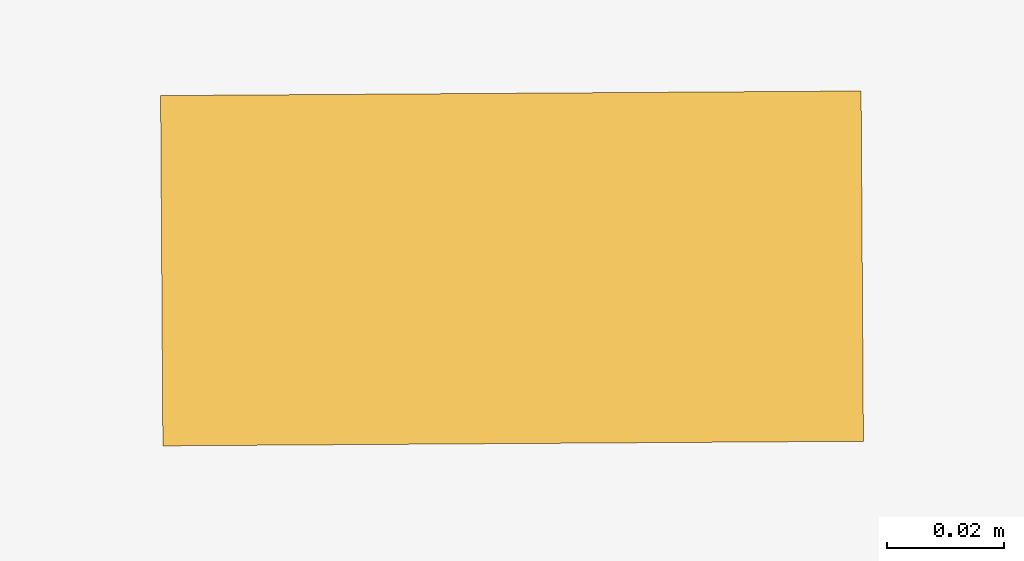
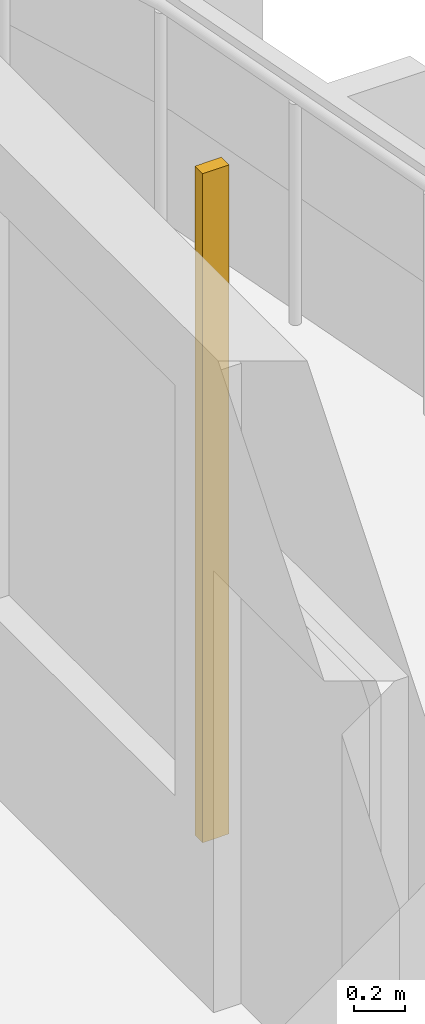
# One storey, part 21 of 23: 1 shading device.
"""IFC4 building model written with IfcOpenShell, lengths in metres."""

from ifc_helpers import new_model, si_unit, direction, frame, origin, origin_2d, place, context, subcontext, project, spatial, rectangle, extrude, source, transform, mapped, material, material_profile, profile_set, type_object, element, save


model = new_model("IFC4")

# Units and contexts
model_context = context("Model", 3, precision=1e-05, world=origin(), true_north=direction((0.0, 1.0)))
body_context = subcontext(model_context, "Body", "Model", "MODEL_VIEW")
ifc_project = project(units=[si_unit("LENGTHUNIT", "METRE"), si_unit("AREAUNIT", "SQUARE_METRE"), si_unit("VOLUMEUNIT", "CUBIC_METRE"), si_unit("PLANEANGLEUNIT", "RADIAN"), si_unit("MASSUNIT", "GRAM", prefix="KILO")], contexts=[model_context])

# Site, building, storey
site_placement = place(None, origin())
site = spatial("IfcSite", under=ifc_project, at=site_placement, CompositionType="ELEMENT")
building_placement = place(site_placement, origin())
building = spatial("IfcBuilding", under=site, at=building_placement, Name="Kilnfold Tower and Market Hall", CompositionType="ELEMENT")
storey_placement = place(building_placement, frame((0.0, 0.0, 178.699951171875)))
storey = spatial("IfcBuildingStorey", under=building, at=storey_placement, Name="L42", CompositionType="ELEMENT", Elevation=178.699951171875)

# Shading device
ifc_material = material(Name="Terracotta", Category="masonry")
ifc_material_profile = material_profile(ifc_material, rectangle(XDim=0.06005859375, YDim=0.1201171875, at=origin_2d()), Name="BAG 60x120")
ifc_profile_set = profile_set([ifc_material_profile], Name="Terracotta")
shading_device_type = type_object("IfcShadingDeviceType", Name="BAGUETTE", PredefinedType="USERDEFINED", material=ifc_profile_set)
shared_shape = source(origin(), body_context, "Body", "SweptSolid", [
    extrude(rectangle(XDim=0.06005859375, YDim=0.1201171875, at=origin_2d()), origin(), (0.0, 0.0, 1.0), 3.179931640625),
])
shading_device_placement = place(storey_placement, frame((25.550048828125, 2.33740234375, 0.0), z_axis=(0.0, 0.0, 1.0), x_axis=(-0.006592060841, 0.999978272131, 0.0)))
element("IfcShadingDevice", 1, at=shading_device_placement, inside=storey, type_object=shading_device_type, Name="Terracotta baguette L42 E", ObjectType="BAGUETTE", PredefinedType="USERDEFINED", context=body_context, shape_type="MappedRepresentation", body=[
    mapped(shared_shape, transform((0.0, 0.0, 0.0))),
])

save(model, "model.ifc")
